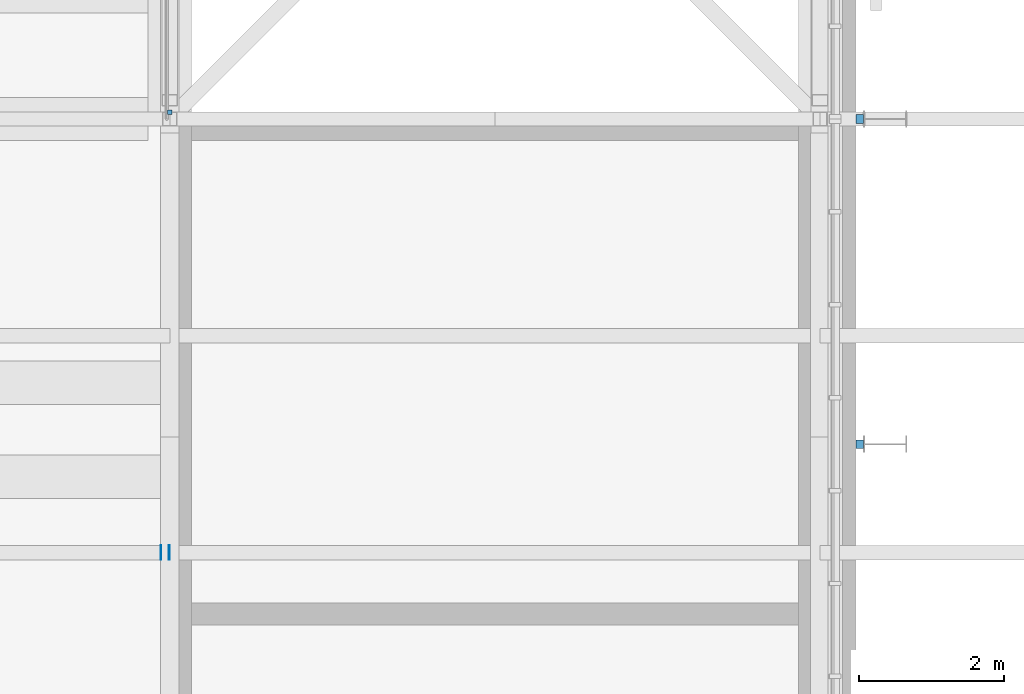
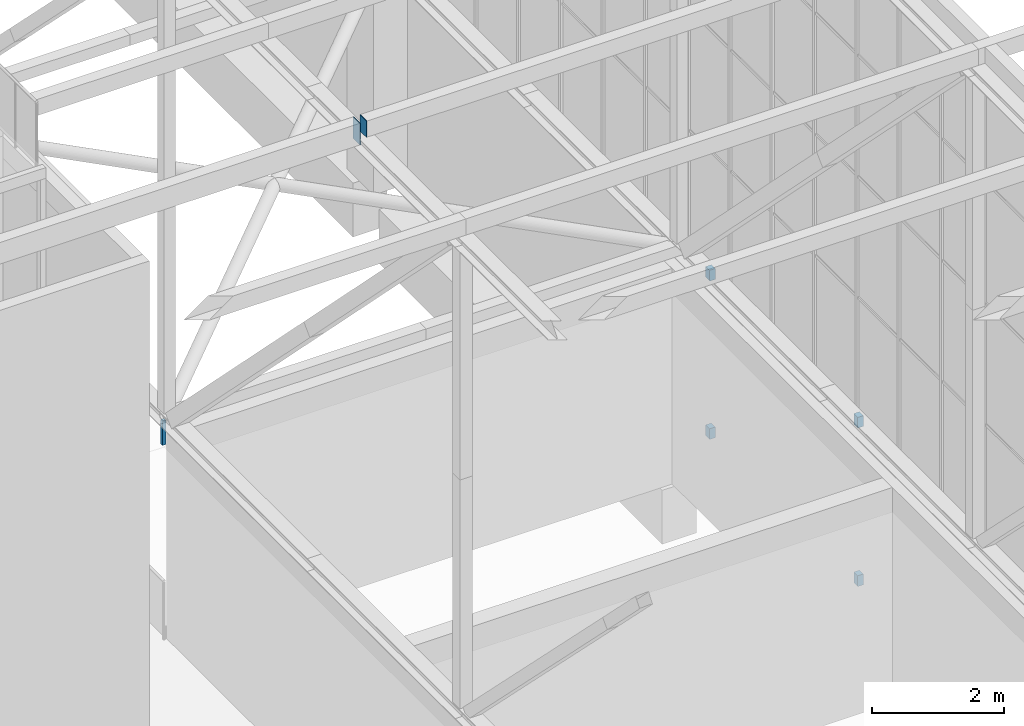
# One storey, part 217 of 646: 7 discrete accessories.
"""IFC4 building model written with IfcOpenShell, lengths in metres."""

from ifc_helpers import new_model, si_unit, direction, frame, origin, origin_2d, place, context, subcontext, project, spatial, rectangle, extrude, material, layer, layer_set, type_object, element, save


model = new_model("IFC4")

# Units and contexts
model_context = context("Model", 3, precision=1e-05, world=origin(), true_north=direction((0.0, 1.0)))
body_context = subcontext(model_context, "Body", "Model", "MODEL_VIEW")
ifc_project = project(units=[si_unit("LENGTHUNIT", "METRE"), si_unit("AREAUNIT", "SQUARE_METRE"), si_unit("VOLUMEUNIT", "CUBIC_METRE"), si_unit("PLANEANGLEUNIT", "RADIAN"), si_unit("MASSUNIT", "GRAM", prefix="KILO")], contexts=[model_context])

# Site, building, storey
site_placement = place(None, origin())
site = spatial("IfcSite", under=ifc_project, at=site_placement, CompositionType="ELEMENT")
building_placement = place(site_placement, origin())
building = spatial("IfcBuilding", under=site, at=building_placement, Name="Silverbay Arena", CompositionType="ELEMENT")
storey_placement = place(building_placement, frame((0.0, 0.0, 33.5)))
storey = spatial("IfcBuildingStorey", under=building, at=storey_placement, Name="L05", CompositionType="ELEMENT", Elevation=33.5)

# Discrete accessories
ifc_material_1 = material(Name="Steel S355", Category="steel")
discrete_accessory_type_1 = type_object("IfcDiscreteAccessoryType", Name="Ceiling hanger", PredefinedType="BRACKET", material=ifc_material_1)
discrete_accessory_1_placement = place(storey_placement, frame((198.0, 72.094970703125, 3.5498046875), z_axis=(0.0, 0.0, 1.0), x_axis=(1.0, 0.0, 0.0)))
element("IfcDiscreteAccessory", 1, at=discrete_accessory_1_placement, inside=storey, type_object=discrete_accessory_type_1, Name="Ceiling hanger", PredefinedType="BRACKET", context=body_context, shape_type="SweptSolid", body=[
    extrude(rectangle(XDim=0.06005859375, YDim=0.06005859375, at=origin_2d()), origin(), (0.0, 0.0, 1.0), 0.449951171875),
])
ifc_material_2 = material(Name="Steel S355", Category="steel")
ifc_layer = layer(ifc_material_2, 0.011962890625)
ifc_layer_set = layer_set([ifc_layer], Name="Steel S355")
discrete_accessory_type_2 = type_object("IfcDiscreteAccessoryType", Name="Purlin end plate 12", PredefinedType="USERDEFINED", material=ifc_layer_set)
discrete_accessory_2_placement = place(storey_placement, frame((197.872802734375, 66.0, 13.10009765625), z_axis=(1.0, 0.0, 0.0), x_axis=(0.0, 1.0, 0.0)))
element("IfcDiscreteAccessory", 2, at=discrete_accessory_2_placement, inside=storey, type_object=discrete_accessory_type_2, Name="Purlin end plate", ObjectType="END PLATE", PredefinedType="USERDEFINED", context=body_context, shape_type="SweptSolid", body=[
    extrude(rectangle(XDim=0.199951171875, YDim=0.39990234375, at=origin_2d()), origin(), (0.0, 0.0, 1.0), 0.011962890625),
])
discrete_accessory_3_placement = place(storey_placement, frame((198.0, 66.0, 13.14990234375), z_axis=(-1.0, 0.0, 0.0), x_axis=(0.0, -1.0, 0.0)))
element("IfcDiscreteAccessory", 3, at=discrete_accessory_3_placement, inside=storey, type_object=discrete_accessory_type_2, Name="Purlin end plate", ObjectType="END PLATE", PredefinedType="USERDEFINED", context=body_context, shape_type="SweptSolid", body=[
    extrude(rectangle(XDim=0.199951171875, YDim=0.300048828125, at=origin_2d()), origin(), (0.0, 0.0, 1.0), 0.011962890625),
])
ifc_material_3 = material(Name="Steel S355", Category="steel")
discrete_accessory_type_3 = type_object("IfcDiscreteAccessoryType", Name="Steel bracket plate", PredefinedType="BRACKET", material=ifc_material_3)
for number, where, z_axis, x_axis, name in (
    (4, (207.550048828125, 67.5, 0.39990234375), (0.0, 0.0, 1.0), (1.0, 0.0, 0.0), "Fin bracket"),
    (5, (207.550048828125, 67.5, 3.33984375), (0.0, 0.0, 1.0), (1.0, 0.0, 0.0), "Fin bracket"),
    (6, (207.550048828125, 72.0, 0.39990234375), (0.0, 0.0, 1.0), (1.0, 0.0, 0.0), "Fin bracket"),
    (7, (207.550048828125, 72.0, 3.33984375), (0.0, 0.0, 1.0), (1.0, 0.0, 0.0), "Fin bracket"),
):
    element("IfcDiscreteAccessory", number, at=place(storey_placement, frame(where, z_axis=z_axis, x_axis=x_axis)), inside=storey, type_object=discrete_accessory_type_3, Name=name, PredefinedType="BRACKET", context=body_context, shape_type="SweptSolid", body=[
        extrude(rectangle(XDim=0.10009765625, YDim=0.1201171875, at=origin_2d()), origin(), (0.0, 0.0, 1.0), 0.199951171875),
    ])

save(model, "model.ifc")
